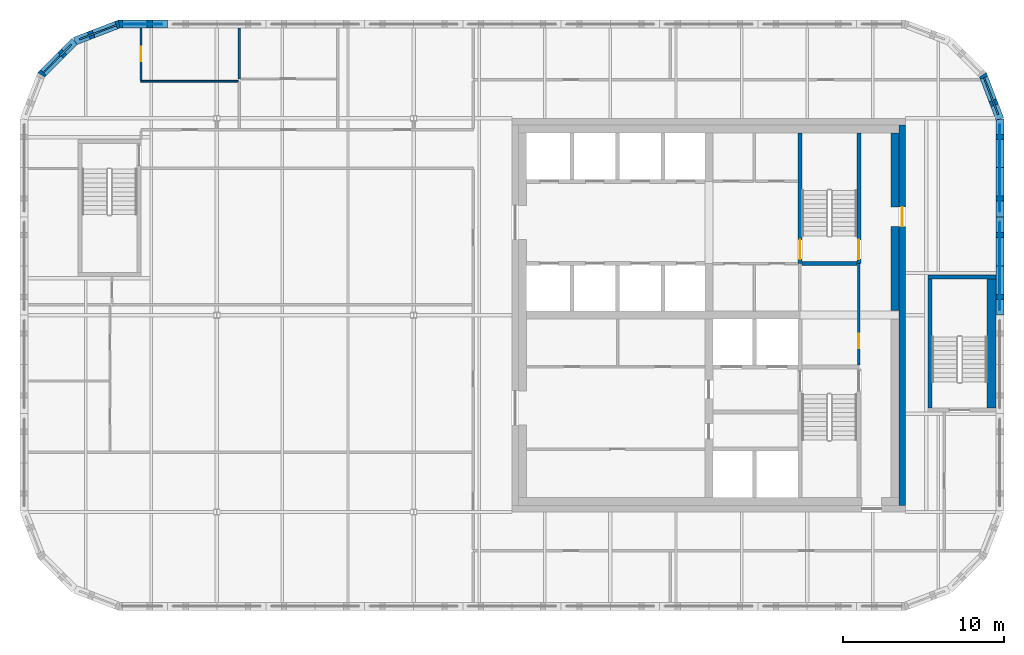
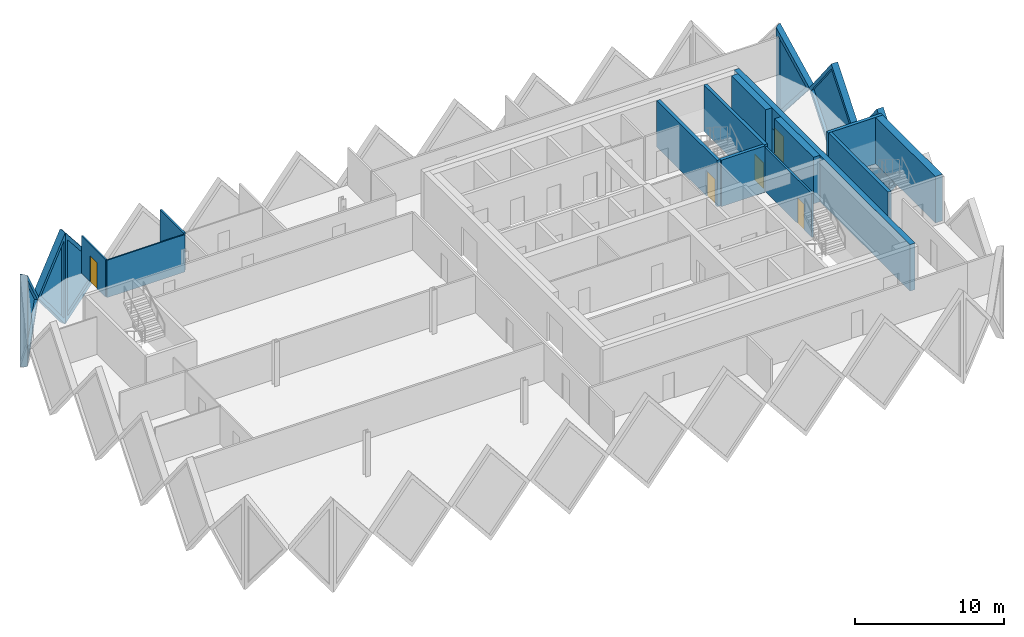
# One storey, part 7 of 10: 19 walls, 6 plates, 5 doors, 11 openings.
"""IFC4 building model written with IfcOpenShell, lengths in metres."""

from ifc_helpers import new_model, si_unit, direction, frame, frame_2d, origin, place, context, subcontext, project, spatial, polyline, rectangle, outline, extrude, faceted_brep, source, transform, mapped, material, layer, layer_set, type_object, element, fill, save


model = new_model("IFC4")

# Units and contexts
model_context = context("Model", 3, precision=1e-05, world=origin(), true_north=direction((0.0, 1.0)))
body_context = subcontext(model_context, "Body", "Model", "MODEL_VIEW")
ifc_project = project(units=[si_unit("LENGTHUNIT", "METRE"), si_unit("AREAUNIT", "SQUARE_METRE"), si_unit("VOLUMEUNIT", "CUBIC_METRE"), si_unit("PLANEANGLEUNIT", "RADIAN"), si_unit("MASSUNIT", "GRAM", prefix="KILO")], contexts=[model_context])

# Site, building, storey
site_placement = place(None, origin())
site = spatial("IfcSite", under=ifc_project, at=site_placement, CompositionType="ELEMENT")
building_placement = place(site_placement, origin())
building = spatial("IfcBuilding", under=site, at=building_placement, Name="Tessera Gate Towers", CompositionType="ELEMENT")
storey_placement = place(building_placement, frame((0.0, 0.0, 252.10009765625)))
storey = spatial("IfcBuildingStorey", under=building, at=storey_placement, Name="L63", CompositionType="ELEMENT", Elevation=252.10009765625)

# Wall, opening, door
ifc_material_1 = material(Name="Concrete C40/50", Category="concrete")
ifc_layer_1 = layer(ifc_material_1, 0.25)
ifc_layer_set_1 = layer_set([ifc_layer_1], Name="CORE ENCLOSURE WALL 250")
wall_type_1 = type_object("IfcWallType", Name="CORE ENCLOSURE WALL 250", PredefinedType="SOLIDWALL", material=ifc_layer_set_1)
wall_1_placement = place(storey_placement, frame((48.35009765625, 47.89990234375, 0.0), z_axis=(0.0, 0.0, 1.0), x_axis=(0.0, -1.0, 0.0)))
wall_1 = element("IfcWall", 1, at=wall_1_placement, inside=storey, type_object=wall_type_1, Name="L63 shaft and stair enclosure wall", PredefinedType="SOLIDWALL", context=body_context, shape_type="SweptSolid", body=[
    extrude(rectangle(XDim=8.099853515625, YDim=0.25, at=frame_2d((4.0498046875, 0.0))), origin(), (0.0, 0.0, 1.0), 3.7998046875),
])
shared_shape_1 = source(origin(), body_context, "Body", "SweptSolid", [
    extrude(rectangle(XDim=1.199951171875, YDim=2.10009765625, at=frame_2d((0.60009765625, 1.050048828125))), frame((0.0, 0.135009765625, 0.0), z_axis=(0.0, -1.0, 0.0), x_axis=(1.0, 0.0, 0.0)), (0.0, 0.0, 1.0), 0.27001953125),
])
opening_1_placement = place(wall_1_placement, frame((6.625, 0.0, 0.0)))
opening_1 = element("IfcOpeningElement", 2, at=opening_1_placement, cuts=wall_1, Name="Opening SD-ST2-1", PredefinedType="OPENING", context=body_context, shape_type="MappedRepresentation", body=[
    mapped(shared_shape_1, transform((0.0, 0.0, 0.0), scale=1.0)),
])
ifc_material_2 = material(Name="Hollow steel fire door", Category="steel")
door_type_1 = type_object("IfcDoorType", Name="CORE DOOR SD 1200x2100", OperationType="NOTDEFINED", PredefinedType="DOOR", material=ifc_material_2)
shared_shape_2 = source(origin(), body_context, "Body", "SweptSolid", [
    extrude(rectangle(XDim=1.199951171875, YDim=2.10009765625, at=frame_2d((0.60009765625, 1.050048828125))), frame((0.0, 0.02490234375, 0.0), z_axis=(0.0, -1.0, 0.0), x_axis=(1.0, 0.0, 0.0)), (0.0, 0.0, 1.0), 0.050048828125),
])
door_1_placement = place(opening_1_placement, origin())
door_1 = element("IfcDoor", 3, at=door_1_placement, inside=storey, type_object=door_type_1, Name="Stair door", OperationType="SINGLE_SWING_RIGHT", OverallHeight=2.10009765625, OverallWidth=1.199951171875, PredefinedType="DOOR", context=body_context, shape_type="MappedRepresentation", body=[
    mapped(shared_shape_2, transform((0.0, 0.0, 0.0), scale=1.0)),
])
fill(opening_1, door_1)

wall_2_placement = place(storey_placement, frame((52.0, 39.800048828125, 0.0), z_axis=(0.0, 0.0, 1.0), x_axis=(0.0, 1.0, 0.0)))
wall_2 = element("IfcWall", 4, at=wall_2_placement, inside=storey, type_object=wall_type_1, Name="L63 shaft and stair enclosure wall", PredefinedType="SOLIDWALL", context=body_context, shape_type="SweptSolid", body=[
    extrude(rectangle(XDim=8.099853515625, YDim=0.25, at=frame_2d((4.0498046875, 0.0))), origin(), (0.0, 0.0, 1.0), 3.7998046875),
])
opening_2_placement = place(wall_2_placement, frame((0.27490234375, 0.0, 0.0)))
opening_2 = element("IfcOpeningElement", 5, at=opening_2_placement, cuts=wall_2, Name="Opening SD-ST2-2", PredefinedType="OPENING", context=body_context, shape_type="MappedRepresentation", body=[
    mapped(shared_shape_1, transform((0.0, 0.0, 0.0), scale=1.0)),
])
door_2_placement = place(opening_2_placement, origin())
door_2 = element("IfcDoor", 6, at=door_2_placement, inside=storey, type_object=door_type_1, Name="Stair door", OperationType="SINGLE_SWING_LEFT", OverallHeight=2.10009765625, OverallWidth=1.199951171875, PredefinedType="DOOR", context=body_context, shape_type="MappedRepresentation", body=[
    mapped(shared_shape_2, transform((0.0, 0.0, 0.0), scale=1.0)),
])
fill(opening_2, door_2)

# Walls
wall_3_placement = place(storey_placement, frame((48.47509765625, 39.800048828125, 0.0), z_axis=(0.0, 0.0, 1.0), x_axis=(1.0, 0.0, 0.0)))
element("IfcWall", 7, at=wall_3_placement, inside=storey, type_object=wall_type_1, Name="L63 shaft and stair enclosure wall", PredefinedType="SOLIDWALL", context=body_context, shape_type="SweptSolid", body=[
    extrude(rectangle(XDim=3.39990234375, YDim=0.25, at=frame_2d((1.699951171875, 0.0))), origin(), (0.0, 0.0, 1.0), 3.7998046875),
])
wall_4_placement = place(storey_placement, frame((56.425048828125, 30.85009765625, 0.0), z_axis=(0.0, 0.0, 1.0), x_axis=(0.0, 1.0, 0.0)))
element("IfcWall", 8, at=wall_4_placement, inside=storey, type_object=wall_type_1, Name="L63 ST5 enclosure wall", PredefinedType="SOLIDWALL", context=body_context, shape_type="SweptSolid", body=[
    extrude(rectangle(XDim=8.0, YDim=0.25, at=frame_2d((4.0, 0.0))), origin(), (0.0, 0.0, 1.0), 3.7998046875),
])
wall_5_placement = place(storey_placement, frame((56.300048828125, 38.97509765625, 0.0), z_axis=(0.0, 0.0, 1.0), x_axis=(1.0, 0.0, 0.0)))
element("IfcWall", 9, at=wall_5_placement, inside=storey, type_object=wall_type_1, Name="L63 ST5 enclosure wall", PredefinedType="SOLIDWALL", context=body_context, shape_type="SweptSolid", body=[
    extrude(rectangle(XDim=4.199951171875, YDim=0.25, at=frame_2d((2.10009765625, 0.0))), origin(), (0.0, 0.0, 1.0), 3.7998046875),
])
ifc_material_3 = material(Name="Concrete C40/50", Category="concrete")
ifc_layer_2 = layer(ifc_material_3, 0.550048828125)
ifc_layer_set_2 = layer_set([ifc_layer_2], Name="CORE ENCLOSURE WALL 550")
wall_type_2 = type_object("IfcWallType", Name="CORE ENCLOSURE WALL 550", PredefinedType="SOLIDWALL", material=ifc_layer_set_2)
wall_6_placement = place(storey_placement, frame((60.22509765625, 38.85009765625, 0.0), z_axis=(0.0, 0.0, 1.0), x_axis=(0.0, -1.0, 0.0)))
element("IfcWall", 10, at=wall_6_placement, inside=storey, type_object=wall_type_2, Name="L63 ST5 enclosure wall", PredefinedType="SOLIDWALL", context=body_context, shape_type="SweptSolid", body=[
    extrude(rectangle(XDim=8.0, YDim=0.550048828125, at=frame_2d((4.0, 0.0))), origin(), (0.0, 0.0, 1.0), 3.7998046875),
])

# Wall, opening, door
ifc_material_4 = material(Name="Concrete C40/50", Category="concrete")
ifc_layer_3 = layer(ifc_material_4, 0.39990234375)
ifc_layer_set_3 = layer_set([ifc_layer_3], Name="CORE SHEAR WALL 400 C40/50")
wall_type_3 = type_object("IfcWallType", Name="CORE SHEAR WALL 400 C40/50", PredefinedType="SHEAR", material=ifc_layer_set_3)
wall_7_placement = place(storey_placement, frame((54.699951171875, 48.39990234375, 0.0), z_axis=(0.0, 0.0, 1.0), x_axis=(0.0, -1.0, 0.0)))
wall_7 = element("IfcWall", 11, at=wall_7_placement, inside=storey, type_object=wall_type_3, Name="Core wall E L63", PredefinedType="SHEAR", context=body_context, shape_type="SweptSolid", body=[
    extrude(rectangle(XDim=23.599853515625, YDim=0.39990234375, at=frame_2d((11.7998046875, 0.0))), origin(), (0.0, 0.0, 1.0), 3.7998046875),
])
shared_shape_3 = source(origin(), body_context, "Body", "SweptSolid", [
    extrude(rectangle(XDim=1.199951171875, YDim=2.10009765625, at=frame_2d((0.60009765625, 1.050048828125))), frame((0.0, 0.2099609375, 0.0), z_axis=(0.0, -1.0, 0.0), x_axis=(1.0, 0.0, 0.0)), (0.0, 0.0, 1.0), 0.419921875),
])
opening_3_placement = place(wall_7_placement, frame((5.10009765625, 0.0, 0.0)))
opening_3 = element("IfcOpeningElement", 12, at=opening_3_placement, cuts=wall_7, Name="Opening ED-T1-37-04", PredefinedType="OPENING", context=body_context, shape_type="MappedRepresentation", body=[
    mapped(shared_shape_3, transform((0.0, 0.0, 0.0), scale=1.0)),
])
ifc_material_5 = material(Name="Hollow steel fire door", Category="steel")
door_type_2 = type_object("IfcDoorType", Name="CORE DOOR ED 1200x2100", OperationType="NOTDEFINED", PredefinedType="DOOR", material=ifc_material_5)
door_3_placement = place(opening_3_placement, origin())
door_3 = element("IfcDoor", 13, at=door_3_placement, inside=storey, type_object=door_type_2, Name="Core exit door", OperationType="SINGLE_SWING_LEFT", OverallHeight=2.10009765625, OverallWidth=1.199951171875, PredefinedType="DOOR", context=body_context, shape_type="MappedRepresentation", body=[
    mapped(shared_shape_2, transform((0.0, 0.0, 0.0), scale=1.0)),
])
fill(opening_3, door_3)

# Walls
ifc_material_6 = material(Name="Concrete C40/50", Category="concrete")
ifc_layer_4 = layer(ifc_material_6, 0.5)
ifc_layer_set_4 = layer_set([ifc_layer_4], Name="CORE WALL THICKENING 500")
wall_type_4 = type_object("IfcWallType", Name="CORE WALL THICKENING 500", PredefinedType="SOLIDWALL", material=ifc_layer_set_4)
wall_8_placement = place(storey_placement, frame((54.25, 36.8798828125, 0.0), z_axis=(0.0, 0.0, 1.0), x_axis=(0.0, 1.0, 0.0)))
element("IfcWall", 14, at=wall_8_placement, inside=storey, type_object=wall_type_4, Name="Core wall thickening E L63", PredefinedType="SOLIDWALL", context=body_context, shape_type="SweptSolid", body=[
    extrude(rectangle(XDim=5.22021484375, YDim=0.5, at=frame_2d((2.610107421875, 0.0))), origin(), (0.0, 0.0, 1.0), 3.7998046875),
])
wall_9_placement = place(storey_placement, frame((54.25, 43.300048828125, 0.0), z_axis=(0.0, 0.0, 1.0), x_axis=(0.0, 1.0, 0.0)))
element("IfcWall", 15, at=wall_9_placement, inside=storey, type_object=wall_type_4, Name="Core wall thickening E L63", PredefinedType="SOLIDWALL", context=body_context, shape_type="SweptSolid", body=[
    extrude(rectangle(XDim=4.599853515625, YDim=0.5, at=frame_2d((2.2998046875, 0.0))), origin(), (0.0, 0.0, 1.0), 3.7998046875),
])
ifc_material_7 = material(Name="Gypsum board on steel studs", Category="steel")
ifc_layer_5 = layer(ifc_material_7, 0.10009765625)
ifc_layer_set_5 = layer_set([ifc_layer_5], Name="PARTITION 100")
wall_type_5 = type_object("IfcWallType", Name="PARTITION 100", PredefinedType="PARTITIONING", material=ifc_layer_set_5)
wall_10_placement = place(storey_placement, frame((7.5, 51.10009765625, 0.0), z_axis=(0.0, 0.0, 1.0), x_axis=(1.0, 0.0, 0.0)))
element("IfcWall", 16, at=wall_10_placement, inside=storey, type_object=wall_type_5, Name="T1-L63-PW-023", PredefinedType="PARTITIONING", context=body_context, shape_type="SweptSolid", body=[
    extrude(rectangle(XDim=6.02392578125, YDim=0.10009765625, at=frame_2d((3.011962890625, 0.0))), origin(), (0.0, 0.0, 1.0), 3.06689453125),
])

# Wall, opening, door
wall_11_placement = place(storey_placement, frame((7.5, 54.39990234375, 0.0), z_axis=(0.0, 0.0, 1.0), x_axis=(0.0, -1.0, 0.0)))
wall_11 = element("IfcWall", 17, at=wall_11_placement, inside=storey, type_object=wall_type_5, Name="T1-L63-PW-024", PredefinedType="PARTITIONING", context=body_context, shape_type="SweptSolid", body=[
    extrude(rectangle(XDim=3.2490234375, YDim=0.10009765625, at=frame_2d((1.62451171875, 0.0))), origin(), (0.0, 0.0, 1.0), 3.06689453125),
])
shared_shape_4 = source(origin(), body_context, "Body", "SweptSolid", [
    extrude(rectangle(XDim=0.89990234375, YDim=2.10009765625, at=frame_2d((0.449951171875, 1.050048828125))), frame((0.0, 0.06005859375, 0.0), z_axis=(0.0, -1.0, 0.0), x_axis=(1.0, 0.0, 0.0)), (0.0, 0.0, 1.0), 0.1201171875),
])
opening_4_placement = place(wall_11_placement, frame((1.14892578125, 0.0, 0.0)))
opening_4 = element("IfcOpeningElement", 18, at=opening_4_placement, cuts=wall_11, Name="Opening D190-A22-04", PredefinedType="OPENING", context=body_context, shape_type="MappedRepresentation", body=[
    mapped(shared_shape_4, transform((0.0, 0.0, 0.0), scale=1.0)),
])
ifc_material_8 = material(Name="Timber door leaf in steel frame", Category="steel")
door_type_3 = type_object("IfcDoorType", Name="INTERNAL DOOR 900 NOT RATED", OperationType="NOTDEFINED", PredefinedType="DOOR", material=ifc_material_8)
shared_shape_5 = source(origin(), body_context, "Body", "SweptSolid", [
    extrude(rectangle(XDim=0.89990234375, YDim=2.10009765625, at=frame_2d((0.449951171875, 1.050048828125))), frame((0.0, 0.02490234375, 0.0), z_axis=(0.0, -1.0, 0.0), x_axis=(1.0, 0.0, 0.0)), (0.0, 0.0, 1.0), 0.050048828125),
])
door_4_placement = place(opening_4_placement, origin())
door_4 = element("IfcDoor", 19, at=door_4_placement, inside=storey, type_object=door_type_3, Name="T1-L63-PD-012", OperationType="SINGLE_SWING_RIGHT", OverallHeight=2.10009765625, OverallWidth=0.89990234375, PredefinedType="DOOR", context=body_context, shape_type="MappedRepresentation", body=[
    mapped(shared_shape_5, transform((0.0, 0.0, 0.0), scale=1.0)),
])
fill(opening_4, door_4)

ifc_material_9 = material(Name="Gypsum board on steel studs", Category="steel")
ifc_layer_6 = layer(ifc_material_9, 0.14990234375)
ifc_layer_set_6 = layer_set([ifc_layer_6], Name="SERVICE ROOM WALL 150")
wall_type_6 = type_object("IfcWallType", Name="SERVICE ROOM WALL 150", PredefinedType="PARTITIONING", material=ifc_layer_set_6)
wall_12_placement = place(storey_placement, frame((52.0, 33.52490234375, 0.0), z_axis=(0.0, 0.0, 1.0), x_axis=(0.0, 1.0, 0.0)))
wall_12 = element("IfcWall", 20, at=wall_12_placement, inside=storey, type_object=wall_type_6, Name="L63 service room wall", PredefinedType="PARTITIONING", context=body_context, shape_type="SweptSolid", body=[
    extrude(rectangle(XDim=6.275146484375, YDim=0.14990234375, at=frame_2d((3.1376953125, 0.0))), origin(), (0.0, 0.0, 1.0), 3.599853515625),
])
shared_shape_6 = source(origin(), body_context, "Body", "SweptSolid", [
    extrude(rectangle(XDim=0.89990234375, YDim=2.10009765625, at=frame_2d((0.449951171875, 1.050048828125))), frame((0.0, 0.0849609375, 0.0), z_axis=(0.0, -1.0, 0.0), x_axis=(1.0, 0.0, 0.0)), (0.0, 0.0, 1.0), 0.169921875),
])
opening_5_placement = place(wall_12_placement, frame((1.02490234375, 0.0, 0.0)))
opening_5 = element("IfcOpeningElement", 21, at=opening_5_placement, cuts=wall_12, Name="Opening RD-T1-37-10", PredefinedType="OPENING", context=body_context, shape_type="MappedRepresentation", body=[
    mapped(shared_shape_6, transform((0.0, 0.0, 0.0), scale=1.0)),
])
ifc_material_10 = material(Name="Hollow steel fire door", Category="steel")
door_type_4 = type_object("IfcDoorType", Name="CORE DOOR RD 900x2100", OperationType="NOTDEFINED", PredefinedType="DOOR", material=ifc_material_10)
door_5_placement = place(opening_5_placement, origin())
door_5 = element("IfcDoor", 22, at=door_5_placement, inside=storey, type_object=door_type_4, Name="Core room door", OperationType="SINGLE_SWING_LEFT", OverallHeight=2.10009765625, OverallWidth=0.89990234375, PredefinedType="DOOR", context=body_context, shape_type="MappedRepresentation", body=[
    mapped(shared_shape_5, transform((0.0, 0.0, 0.0), scale=1.0)),
])
fill(opening_5, door_5)

# Wall
ifc_material_11 = material(Name="Gypsum board on steel studs, mineral wool", Category="steel")
ifc_layer_7 = layer(ifc_material_11, 0.14990234375)
ifc_layer_set_7 = layer_set([ifc_layer_7], Name="TENANCY WALL 150")
wall_type_7 = type_object("IfcWallType", Name="TENANCY WALL 150", PredefinedType="PARTITIONING", material=ifc_layer_set_7)
wall_13_placement = place(storey_placement, frame((13.60009765625, 51.25, 0.0), z_axis=(0.0, 0.0, 1.0), x_axis=(0.0, 1.0, 0.0)))
element("IfcWall", 23, at=wall_13_placement, inside=storey, type_object=wall_type_7, Name="T1-L63-PW-026", PredefinedType="PARTITIONING", context=body_context, shape_type="SweptSolid", body=[
    extrude(rectangle(XDim=3.14990234375, YDim=0.14990234375, at=frame_2d((1.574951171875, 0.0))), origin(), (0.0, 0.0, 1.0), 3.06689453125),
])

# Wall, opening, plate
ifc_material_12 = material(Name="Precast concrete C60/75 white", Category="concrete")
ifc_layer_8 = layer(ifc_material_12, 0.5)
ifc_layer_set_8 = layer_set([ifc_layer_8], Name="TS1 tessera")
wall_type_8 = type_object("IfcWallType", Name="TS1 tessera", PredefinedType="SOLIDWALL", material=ifc_layer_set_8)
shared_shape_7 = source(origin(), body_context, "Body", "Brep", [
    faceted_brep([(3.050048828125, -0.25, 0.0), (6.099853515625, -0.25, 3.7998046875), (6.099853515625, -0.25, 3.80029296875), (3.050048828125, -0.25, 7.599853515625), (0.0, -0.25, 3.800048828125), (0.0, 0.25, 3.800048828125), (3.050048828125, 0.25, 7.599853515625), (6.099853515625, 0.25, 3.80029296875), (6.099853515625, 0.25, 3.7998046875), (3.050048828125, 0.25, 0.0)], [[[0, 1, 2, 3, 4]], [[5, 6, 7, 8, 9]], [[9, 8, 1, 0]], [[7, 6, 3, 2]], [[6, 5, 4, 3]], [[5, 9, 0, 4]], [[1, 8, 7, 2]]]),
])
wall_14_placement = place(storey_placement, frame((60.75, 36.60009765625, -3.800048828125), z_axis=(0.0, 0.0, 1.0), x_axis=(0.0, 1.0, 0.0)))
wall_14 = element("IfcWall", 24, at=wall_14_placement, inside=storey, type_object=wall_type_8, Name="Precast tessera T1 TS1-1110", PredefinedType="SOLIDWALL", context=body_context, shape_type="MappedRepresentation", body=[
    mapped(shared_shape_7, transform((0.0, 0.0, 0.0), scale=1.0)),
])
shared_shape_8 = source(origin(), body_context, "Body", "SweptSolid", [
    extrude(outline(polyline([(3.050048828125, 0.3994140625), (5.779541015625, 3.800048828125), (3.050048828125, 7.200439453125), (0.320556640625, 3.800048828125), (3.050048828125, 0.3994140625)])), frame((0.0, 0.260009765625, 0.0), z_axis=(0.0, -1.0, 0.0), x_axis=(1.0, 0.0, 0.0)), (0.0, 0.0, 1.0), 0.52001953125),
])
opening_6_placement = place(wall_14_placement, origin())
opening_6 = element("IfcOpeningElement", 25, at=opening_6_placement, cuts=wall_14, Name="Opening T1-PL2-2248", PredefinedType="OPENING", context=body_context, shape_type="MappedRepresentation", body=[
    mapped(shared_shape_8, transform((0.0, 0.0, 0.0), scale=1.0)),
])
ifc_material_13 = material(Name="Low-e laminated glass", Category="glass")
ifc_layer_9 = layer(ifc_material_13, 0.06005859375)
ifc_layer_set_9 = layer_set([ifc_layer_9], Name="PL2 rhombic pane")
plate_type = type_object("IfcPlateType", Name="PL2 rhombic pane", PredefinedType="SHEET", material=ifc_layer_set_9)
shared_shape_9 = source(origin(), body_context, "Body", "SweptSolid", [
    extrude(outline(polyline([(3.050048828125, 0.3994140625), (5.779541015625, 3.800048828125), (3.050048828125, 7.200439453125), (0.320556640625, 3.800048828125), (3.050048828125, 0.3994140625)])), frame((0.0, 0.030029296875, 0.0), z_axis=(0.0, -1.0, 0.0), x_axis=(1.0, 0.0, 0.0)), (0.0, 0.0, 1.0), 0.06005859375),
])
plate_1_placement = place(opening_6_placement, origin())
plate_1 = element("IfcPlate", 26, at=plate_1_placement, inside=storey, type_object=plate_type, Name="Glass pane T1 PL2-2248", PredefinedType="SHEET", context=body_context, shape_type="MappedRepresentation", body=[
    mapped(shared_shape_9, transform((0.0, 0.0, 0.0), scale=1.0)),
])
fill(opening_6, plate_1)

shared_shape_10 = source(origin(), body_context, "Body", "Brep", [
    faceted_brep([(3.050048828125, -0.25, 0.0), (6.053466796875, -0.25, 3.800048828125), (3.050048828125, -0.25, 7.599853515625), (0.0, -0.25, 3.800048828125), (0.0, 0.25, 3.800048828125), (3.050048828125, 0.25, 7.599853515625), (6.0068359375, 0.25, 3.85888671875), (6.0068359375, 0.25, 3.7412109375), (3.050048828125, 0.25, 0.0), (6.053466796875, 0.0, 3.800048828125)], [[[0, 1, 2, 3]], [[4, 5, 6, 7, 8]], [[8, 7, 9, 1, 0]], [[6, 5, 2, 1, 9]], [[5, 4, 3, 2]], [[4, 8, 0, 3]], [[7, 6, 9]]]),
])
wall_15_placement = place(storey_placement, frame((60.75, 42.699951171875, -3.800048828125), z_axis=(0.0, 0.0, 1.0), x_axis=(0.0, 1.0, 0.0)))
wall_15 = element("IfcWall", 27, at=wall_15_placement, inside=storey, type_object=wall_type_8, Name="Precast tessera T1 TS1-1111", PredefinedType="SOLIDWALL", context=body_context, shape_type="MappedRepresentation", body=[
    mapped(shared_shape_10, transform((0.0, 0.0, 0.0), scale=1.0)),
])
shared_shape_11 = source(origin(), body_context, "Body", "SweptSolid", [
    extrude(outline(polyline([(3.048583984375, 0.401123046875), (5.73486328125, 3.800048828125), (3.048583984375, 7.19873046875), (0.320556640625, 3.800048828125), (3.048583984375, 0.401123046875)])), frame((0.0, 0.260009765625, 0.0), z_axis=(0.0, -1.0, 0.0), x_axis=(1.0, 0.0, 0.0)), (0.0, 0.0, 1.0), 0.52001953125),
])
opening_7_placement = place(wall_15_placement, origin())
opening_7 = element("IfcOpeningElement", 28, at=opening_7_placement, cuts=wall_15, Name="Opening T1-PL2-2249", PredefinedType="OPENING", context=body_context, shape_type="MappedRepresentation", body=[
    mapped(shared_shape_11, transform((0.0, 0.0, 0.0), scale=1.0)),
])
shared_shape_12 = source(origin(), body_context, "Body", "SweptSolid", [
    extrude(outline(polyline([(3.048583984375, 0.401123046875), (5.73486328125, 3.800048828125), (3.048583984375, 7.19873046875), (0.320556640625, 3.800048828125), (3.048583984375, 0.401123046875)])), frame((0.0, 0.030029296875, 0.0), z_axis=(0.0, -1.0, 0.0), x_axis=(1.0, 0.0, 0.0)), (0.0, 0.0, 1.0), 0.06005859375),
])
plate_2_placement = place(opening_7_placement, origin())
plate_2 = element("IfcPlate", 29, at=plate_2_placement, inside=storey, type_object=plate_type, Name="Glass pane T1 PL2-2249", PredefinedType="SHEET", context=body_context, shape_type="MappedRepresentation", body=[
    mapped(shared_shape_12, transform((0.0, 0.0, 0.0), scale=1.0)),
])
fill(opening_7, plate_2)

ifc_material_14 = material(Name="Precast concrete C60/75 white", Category="concrete")
ifc_layer_10 = layer(ifc_material_14, 0.5)
ifc_layer_set_10 = layer_set([ifc_layer_10], Name="TS3 corner tessera")
wall_type_9 = type_object("IfcWallType", Name="TS3 corner tessera", PredefinedType="SOLIDWALL", material=ifc_layer_set_10)
shared_shape_13 = source(origin(), body_context, "Body", "Brep", [
    faceted_brep([(3.00341796875, -0.25, 0.0), (3.050048828125, -0.25, 0.06005859375), (3.050048828125, -0.25, 7.539794921875), (3.00341796875, -0.25, 7.599853515625), (0.0, -0.25, 3.800048828125), (0.0, 0.25, 3.800048828125), (2.956787109375, 0.25, 7.541015625), (2.956787109375, 0.25, 0.058837890625), (3.00341796875, 0.000244140625, 0.0), (3.00341796875, 0.000244140625, 7.599853515625)], [[[0, 1, 2, 3, 4]], [[5, 6, 7]], [[1, 0, 8]], [[9, 3, 2]], [[6, 5, 4, 3, 9]], [[5, 7, 8, 0, 4]], [[1, 8, 7, 6, 9, 2]]]),
])
wall_16_placement = place(storey_placement, frame((9.14990234375, 54.64990234375, -3.800048828125), z_axis=(0.0, 0.0, 1.0), x_axis=(-1.0, 0.0, 0.0)))
wall_16 = element("IfcWall", 30, at=wall_16_placement, inside=storey, type_object=wall_type_9, Name="Precast corner tessera T1 TS3-1443", PredefinedType="SOLIDWALL", context=body_context, shape_type="MappedRepresentation", body=[
    mapped(shared_shape_13, transform((0.0, 0.0, 0.0), scale=1.0)),
])
shared_shape_14 = source(origin(), body_context, "Body", "SweptSolid", [
    extrude(outline(polyline([(2.803466796875, 6.94384765625), (0.318603515625, 3.800048828125), (2.803466796875, 0.65625), (2.803466796875, 6.94384765625)])), frame((0.0, 0.260009765625, 0.0), z_axis=(0.0, -1.0, 0.0), x_axis=(1.0, 0.0, 0.0)), (0.0, 0.0, 1.0), 0.52001953125),
])
opening_8_placement = place(wall_16_placement, origin())
opening_8 = element("IfcOpeningElement", 31, at=opening_8_placement, cuts=wall_16, Name="Opening T1-PL2-2261", PredefinedType="OPENING", context=body_context, shape_type="MappedRepresentation", body=[
    mapped(shared_shape_14, transform((0.0, 0.0, 0.0), scale=1.0)),
])
shared_shape_15 = source(origin(), body_context, "Body", "SweptSolid", [
    extrude(outline(polyline([(2.803466796875, 6.94384765625), (0.318603515625, 3.800048828125), (2.803466796875, 0.65625), (2.803466796875, 6.94384765625)])), frame((0.0, 0.030029296875, 0.0), z_axis=(0.0, -1.0, 0.0), x_axis=(1.0, 0.0, 0.0)), (0.0, 0.0, 1.0), 0.06005859375),
])
plate_3_placement = place(opening_8_placement, origin())
plate_3 = element("IfcPlate", 32, at=plate_3_placement, inside=storey, type_object=plate_type, Name="Glass pane T1 PL2-2261", PredefinedType="SHEET", context=body_context, shape_type="MappedRepresentation", body=[
    mapped(shared_shape_15, transform((0.0, 0.0, 0.0), scale=1.0)),
])
fill(opening_8, plate_3)

shared_shape_16 = source(origin(), body_context, "Body", "Brep", [
    faceted_brep([(0.046630859375, -0.25, 0.0), (2.9970703125, -0.25, 3.800048828125), (0.046630859375, -0.25, 7.599853515625), (0.0, -0.25, 7.541015625), (0.0, -0.25, 0.058837890625), (0.09326171875, 0.25, 7.539794921875), (2.9443359375, 0.25, 3.8681640625), (2.9443359375, 0.25, 3.73193359375), (0.09326171875, 0.25, 0.06005859375), (2.9970703125, 0.00048828125, 3.800048828125), (0.046630859375, 0.0, 0.0), (0.046630859375, 0.0, 7.599853515625)], [[[0, 1, 2, 3, 4]], [[5, 6, 7, 8]], [[8, 7, 9, 1, 0, 10]], [[6, 5, 11, 2, 1, 9]], [[3, 2, 11]], [[10, 0, 4]], [[8, 10, 4, 3, 11, 5]], [[7, 6, 9]]]),
])
wall_17_placement = place(storey_placement, frame((6.18994140625, 54.666748046875, -3.800048828125), z_axis=(0.0, 0.0, 1.0), x_axis=(-0.932990326376, -0.359901446078, 0.0)))
wall_17 = element("IfcWall", 33, at=wall_17_placement, inside=storey, type_object=wall_type_9, Name="Precast corner tessera T1 TS3-1444", PredefinedType="SOLIDWALL", context=body_context, shape_type="MappedRepresentation", body=[
    mapped(shared_shape_16, transform((0.0, 0.0, 0.0), scale=1.0)),
])
shared_shape_17 = source(origin(), body_context, "Body", "SweptSolid", [
    extrude(outline(polyline([(0.24658203125, 0.665283203125), (2.6806640625, 3.800048828125), (0.24658203125, 6.934814453125), (0.24658203125, 0.665283203125)])), frame((0.0, 0.260009765625, 0.0), z_axis=(0.0, -1.0, 0.0), x_axis=(1.0, 0.0, 0.0)), (0.0, 0.0, 1.0), 0.52001953125),
])
opening_9_placement = place(wall_17_placement, origin())
opening_9 = element("IfcOpeningElement", 34, at=opening_9_placement, cuts=wall_17, Name="Opening T1-PL2-2262", PredefinedType="OPENING", context=body_context, shape_type="MappedRepresentation", body=[
    mapped(shared_shape_17, transform((0.0, 0.0, 0.0), scale=1.0)),
])
shared_shape_18 = source(origin(), body_context, "Body", "SweptSolid", [
    extrude(outline(polyline([(0.24658203125, 0.665283203125), (2.6806640625, 3.800048828125), (0.24658203125, 6.934814453125), (0.24658203125, 0.665283203125)])), frame((0.0, 0.030029296875, 0.0), z_axis=(0.0, -1.0, 0.0), x_axis=(1.0, 0.0, 0.0)), (0.0, 0.0, 1.0), 0.06005859375),
])
plate_4_placement = place(opening_9_placement, origin())
plate_4 = element("IfcPlate", 35, at=plate_4_placement, inside=storey, type_object=plate_type, Name="Glass pane T1 PL2-2262", PredefinedType="SHEET", context=body_context, shape_type="MappedRepresentation", body=[
    mapped(shared_shape_18, transform((0.0, 0.0, 0.0), scale=1.0)),
])
fill(opening_9, plate_4)

shared_shape_19 = source(origin(), body_context, "Body", "Brep", [
    faceted_brep([(2.950439453125, -0.25, 0.0), (3.00341796875, -0.25, 0.068359375), (3.00341796875, -0.25, 7.531494140625), (2.950439453125, -0.25, 7.599853515625), (0.0, -0.25, 3.800048828125), (0.046630859375, 0.25, 3.860107421875), (2.897705078125, 0.25, 7.53173828125), (2.897705078125, 0.25, 0.068115234375), (0.046630859375, 0.25, 3.739990234375), (2.950439453125, 0.00048828125, 0.0), (2.950439453125, 0.00048828125, 7.599853515625), (0.0, 0.0, 3.800048828125)], [[[0, 1, 2, 3, 4]], [[5, 6, 7, 8]], [[1, 0, 9]], [[10, 3, 2]], [[6, 5, 11, 4, 3, 10]], [[8, 7, 9, 0, 4, 11]], [[8, 11, 5]], [[1, 9, 7, 6, 10, 2]]]),
])
wall_18_placement = place(storey_placement, frame((60.75, 48.75341796875, -3.800048828125), z_axis=(0.0, 0.0, 1.0), x_axis=(-0.35992665181, 0.932980602862, 0.0)))
wall_18 = element("IfcWall", 36, at=wall_18_placement, inside=storey, type_object=wall_type_9, Name="Precast corner tessera T1 TS3-1439", PredefinedType="SOLIDWALL", context=body_context, shape_type="MappedRepresentation", body=[
    mapped(shared_shape_19, transform((0.0, 0.0, 0.0), scale=1.0)),
])
shared_shape_20 = source(origin(), body_context, "Body", "SweptSolid", [
    extrude(outline(polyline([(2.75048828125, 6.934814453125), (0.31640625, 3.800048828125), (2.75048828125, 0.665283203125), (2.75048828125, 6.934814453125)])), frame((0.0, 0.260009765625, 0.0), z_axis=(0.0, -1.0, 0.0), x_axis=(1.0, 0.0, 0.0)), (0.0, 0.0, 1.0), 0.52001953125),
])
opening_10_placement = place(wall_18_placement, origin())
opening_10 = element("IfcOpeningElement", 37, at=opening_10_placement, cuts=wall_18, Name="Opening T1-PL2-2250", PredefinedType="OPENING", context=body_context, shape_type="MappedRepresentation", body=[
    mapped(shared_shape_20, transform((0.0, 0.0, 0.0), scale=1.0)),
])
shared_shape_21 = source(origin(), body_context, "Body", "SweptSolid", [
    extrude(outline(polyline([(2.75048828125, 6.934814453125), (0.31640625, 3.800048828125), (2.75048828125, 0.665283203125), (2.75048828125, 6.934814453125)])), frame((0.0, 0.030029296875, 0.0), z_axis=(0.0, -1.0, 0.0), x_axis=(1.0, 0.0, 0.0)), (0.0, 0.0, 1.0), 0.06005859375),
])
plate_5_placement = place(opening_10_placement, origin())
plate_5 = element("IfcPlate", 38, at=plate_5_placement, inside=storey, type_object=plate_type, Name="Glass pane T1 PL2-2250", PredefinedType="SHEET", context=body_context, shape_type="MappedRepresentation", body=[
    mapped(shared_shape_21, transform((0.0, 0.0, 0.0), scale=1.0)),
])
fill(opening_10, plate_5)

shared_shape_22 = source(origin(), body_context, "Body", "Brep", [
    faceted_brep([(2.944091796875, -0.25, 0.0), (2.9970703125, -0.25, 0.068115234375), (2.9970703125, -0.25, 7.53173828125), (2.944091796875, -0.25, 7.599853515625), (0.0, -0.25, 3.800048828125), (0.052978515625, 0.25, 3.868408203125), (2.89111328125, 0.25, 7.53173828125), (2.89111328125, 0.25, 0.068115234375), (0.052978515625, 0.25, 3.731689453125), (2.944091796875, 0.000244140625, 0.0), (2.944091796875, 0.000244140625, 7.599853515625), (0.0, 0.0, 3.800048828125)], [[[0, 1, 2, 3, 4]], [[5, 6, 7, 8]], [[1, 0, 9]], [[10, 3, 2]], [[6, 5, 11, 4, 3, 10]], [[8, 7, 9, 0, 4, 11]], [[8, 11, 5]], [[1, 9, 7, 6, 10, 2]]]),
])
wall_19_placement = place(storey_placement, frame((3.393798828125, 53.588134765625, -3.800048828125), z_axis=(0.0, 0.0, 1.0), x_axis=(-0.707106781187, -0.707106781187, 0.0)))
wall_19 = element("IfcWall", 39, at=wall_19_placement, inside=storey, type_object=wall_type_9, Name="Precast corner tessera T1 TS3-1445", PredefinedType="SOLIDWALL", context=body_context, shape_type="MappedRepresentation", body=[
    mapped(shared_shape_22, transform((0.0, 0.0, 0.0), scale=1.0)),
])
shared_shape_23 = source(origin(), body_context, "Body", "SweptSolid", [
    extrude(outline(polyline([(2.744140625, 6.93359375), (0.316162109375, 3.800048828125), (2.744140625, 0.666259765625), (2.744140625, 6.93359375)])), frame((0.0, 0.260009765625, 0.0), z_axis=(0.0, -1.0, 0.0), x_axis=(1.0, 0.0, 0.0)), (0.0, 0.0, 1.0), 0.52001953125),
])
opening_11_placement = place(wall_19_placement, origin())
opening_11 = element("IfcOpeningElement", 40, at=opening_11_placement, cuts=wall_19, Name="Opening T1-PL2-2263", PredefinedType="OPENING", context=body_context, shape_type="MappedRepresentation", body=[
    mapped(shared_shape_23, transform((0.0, 0.0, 0.0), scale=1.0)),
])
shared_shape_24 = source(origin(), body_context, "Body", "SweptSolid", [
    extrude(outline(polyline([(2.744140625, 6.93359375), (0.316162109375, 3.800048828125), (2.744140625, 0.666259765625), (2.744140625, 6.93359375)])), frame((0.0, 0.030029296875, 0.0), z_axis=(0.0, -1.0, 0.0), x_axis=(1.0, 0.0, 0.0)), (0.0, 0.0, 1.0), 0.06005859375),
])
plate_6_placement = place(opening_11_placement, origin())
plate_6 = element("IfcPlate", 41, at=plate_6_placement, inside=storey, type_object=plate_type, Name="Glass pane T1 PL2-2263", PredefinedType="SHEET", context=body_context, shape_type="MappedRepresentation", body=[
    mapped(shared_shape_24, transform((0.0, 0.0, 0.0), scale=1.0)),
])
fill(opening_11, plate_6)

save(model, "model.ifc")
